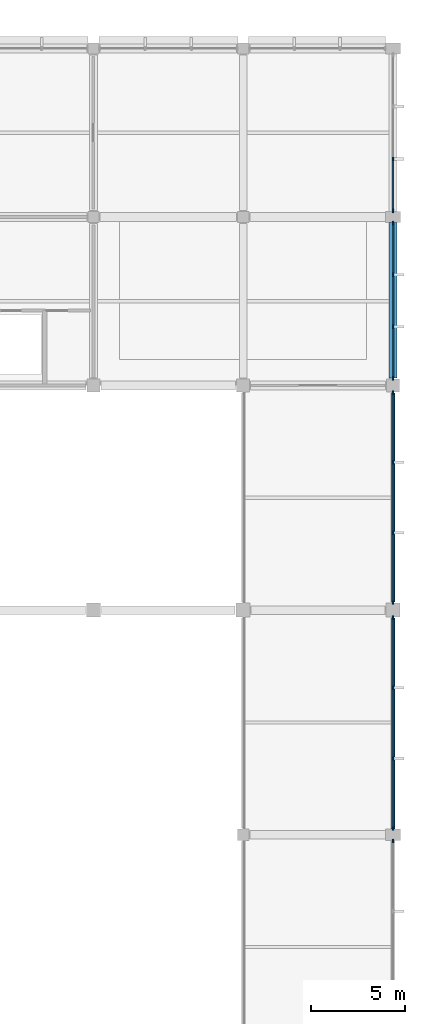
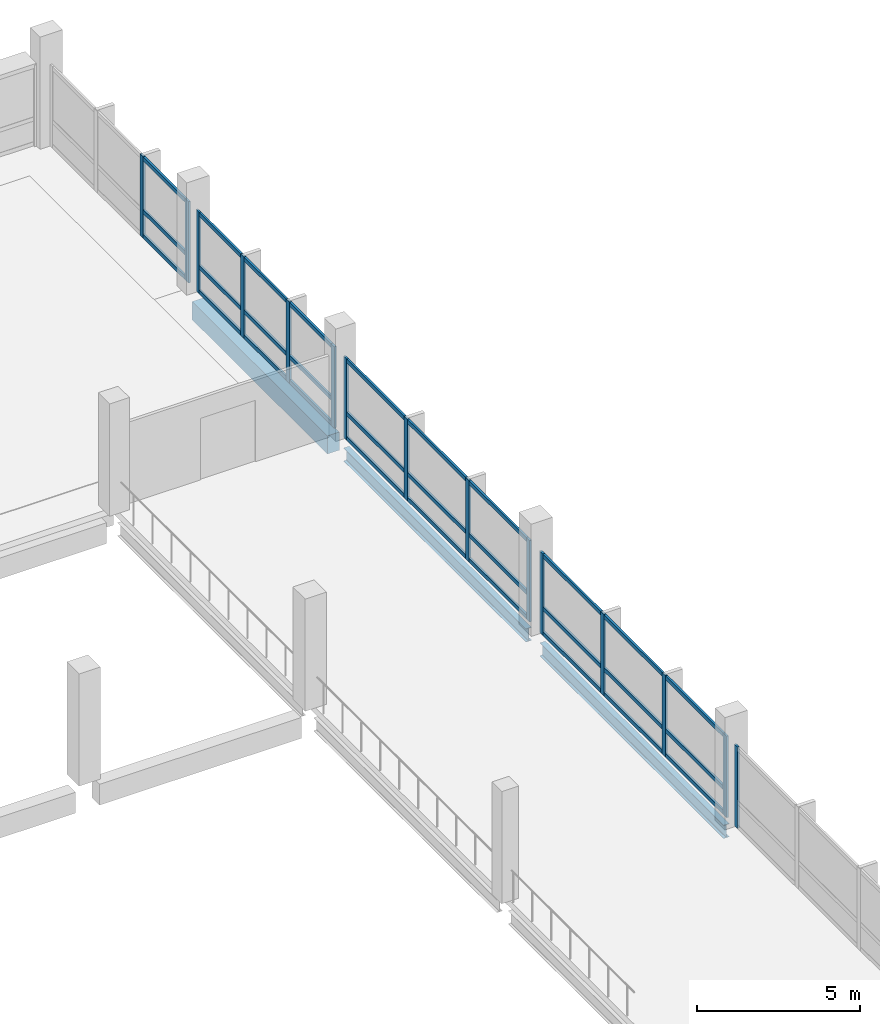
# One storey, part 30 of 57: 45 members, 3 beams, 5 elements without a shape of their own.
"""IFC4 building model written with IfcOpenShell, lengths in metres."""

from ifc_helpers import new_model, si_unit, direction, frame, origin, origin_2d, place, context, subcontext, project, spatial, rectangle, i_section, extrude, material, material_profile, profile_set, type_object, element, aggregate, save


model = new_model("IFC4")

# Units and contexts
model_context = context("Model", 3, precision=1e-05, world=origin(), true_north=direction((0.0, 1.0)))
body_context = subcontext(model_context, "Body", "Model", "MODEL_VIEW")
ifc_project = project(units=[si_unit("LENGTHUNIT", "METRE"), si_unit("AREAUNIT", "SQUARE_METRE"), si_unit("VOLUMEUNIT", "CUBIC_METRE"), si_unit("PLANEANGLEUNIT", "RADIAN"), si_unit("MASSUNIT", "GRAM", prefix="KILO"), si_unit("THERMODYNAMICTEMPERATUREUNIT", "KELVIN"), si_unit("POWERUNIT", "WATT")], contexts=[model_context])

# Site, building, storey
site_placement = place(None, origin())
site = spatial("IfcSite", under=ifc_project, at=site_placement, CompositionType="ELEMENT")
building_placement = place(site_placement, origin())
building = spatial("IfcBuilding", under=site, at=building_placement, Name="Kronsvod Quay Wholesale Market", CompositionType="ELEMENT")
storey_placement = place(building_placement, frame((0.0, 0.0, 4.800048828125)))
storey = spatial("IfcBuildingStorey", under=building, at=storey_placement, Name="L01", CompositionType="ELEMENT", Elevation=4.800048828125)

# Beams
ifc_material_1 = material(Name="Precast concrete C40/50", Category="concrete")
ifc_material_profile_1 = material_profile(ifc_material_1, rectangle(XDim=0.419921875, YDim=0.679931640625, at=origin_2d()), Name="PB-05")
ifc_profile_set_1 = profile_set([ifc_material_profile_1], Name="Precast concrete C40/50")
beam_type_1 = type_object("IfcBeamType", Name="Beam_PCB420x680", PredefinedType="BEAM", material=ifc_profile_set_1)
beam_1_placement = place(storey_placement, frame((192.0, 90.39990234375, -0.64013671875), z_axis=(0.0, 1.0, 0.0), x_axis=(-1.0, 0.0, 0.0)))
element("IfcBeam", 1, at=beam_1_placement, inside=storey, type_object=beam_type_1, Name="BMY-L01-1920-900", PredefinedType="BEAM", context=body_context, shape_type="SweptSolid", body=[
    extrude(rectangle(XDim=0.419921875, YDim=0.679931640625, at=origin_2d()), origin(), (0.0, 0.0, 1.0), 8.300048828125),
])
ifc_material_2 = material(Name="Steel S355", Category="steel")
ifc_material_profile_2 = material_profile(ifc_material_2, i_section(OverallWidth=0.198974609375, OverallDepth=0.49609375, WebThickness=0.009033203125, FlangeThickness=0.013916015625, FilletRadius=0.02001953125, at=origin_2d()), Name="50B1")
ifc_profile_set_2 = profile_set([ifc_material_profile_2], Name="Steel S355")
beam_type_2 = type_object("IfcBeamType", Name="Girder_Steel50B1", PredefinedType="T_BEAM", material=ifc_profile_set_2)
beam_2_placement = place(storey_placement, frame((192.0, 66.300048828125, -0.548095703125), z_axis=(0.0, 1.0, 0.0), x_axis=(-1.0, 0.0, 0.0)))
element("IfcBeam", 2, at=beam_2_placement, inside=storey, type_object=beam_type_2, Name="BMY-L01-1920-660", PredefinedType="T_BEAM", context=body_context, shape_type="SweptSolid", body=[
    extrude(i_section(OverallWidth=0.198974609375, OverallDepth=0.49609375, WebThickness=0.009033203125, FlangeThickness=0.013916015625, FilletRadius=0.02001953125, at=origin_2d()), origin(), (0.0, 0.0, 1.0), 11.27490234375),
])
beam_3_placement = place(storey_placement, frame((192.0, 78.425048828125, -0.548095703125), z_axis=(0.0, 1.0, 0.0), x_axis=(-1.0, 0.0, 0.0)))
element("IfcBeam", 3, at=beam_3_placement, inside=storey, type_object=beam_type_2, Name="BMY-L01-1920-780", PredefinedType="T_BEAM", context=body_context, shape_type="SweptSolid", body=[
    extrude(i_section(OverallWidth=0.198974609375, OverallDepth=0.49609375, WebThickness=0.009033203125, FlangeThickness=0.013916015625, FilletRadius=0.02001953125, at=origin_2d()), origin(), (0.0, 0.0, 1.0), 11.175048828125),
])

# Curtain wall, member
ifc_material_3 = material(Name="Thermally broken aluminium and triple low-E glazing", Category="aluminium")
curtain_wall_type_1 = type_object("IfcCurtainWallType", Name="CW_Flower120x32", PredefinedType="NOTDEFINED", material=ifc_material_3)
curtain_wall_1_placement = place(storey_placement, origin())
curtain_wall_1 = element("IfcCurtainWall", 4, at=curtain_wall_1_placement, inside=storey, type_object=curtain_wall_type_1, Name="CWGY-L01-1920-540", PredefinedType="NOTDEFINED")
ifc_material_4 = material(Name="Anodised aluminium", Category="aluminium")
ifc_material_profile_3 = material_profile(ifc_material_4, rectangle(XDim=0.074951171875, YDim=0.199951171875, at=origin_2d()), Name="ALUM75x200")
ifc_profile_set_3 = profile_set([ifc_material_profile_3], Name="Anodised aluminium")
member_type_1 = type_object("IfcMemberType", Name="Mullion_ALU75x200", PredefinedType="MULLION", material=ifc_profile_set_3)
member_1_placement = place(storey_placement, frame((192.0, 65.66748046875, 0.0), z_axis=(0.0, 0.0, 1.0), x_axis=(1.0, 0.0, 0.0)))
member_1 = element("IfcMember", 5, at=member_1_placement, type_object=member_type_1, Name="CWGY-L01-1920-540-M4", PredefinedType="MULLION", context=body_context, shape_type="SweptSolid", body=[
    extrude(rectangle(XDim=0.074951171875, YDim=0.199951171875, at=origin_2d()), origin(), (0.0, 0.0, 1.0), 3.050048828125),
])
aggregate(curtain_wall_1, [member_1])

# Curtain wall, members
curtain_wall_2_placement = place(storey_placement, origin())
curtain_wall_2 = element("IfcCurtainWall", 6, at=curtain_wall_2_placement, inside=storey, type_object=curtain_wall_type_1, Name="CWGY-L01-1920-660", PredefinedType="NOTDEFINED")
member_2_placement = place(storey_placement, frame((192.0, 66.33251953125, 0.0), z_axis=(0.0, 0.0, 1.0), x_axis=(1.0, 0.0, 0.0)))
member_2 = element("IfcMember", 7, at=member_2_placement, type_object=member_type_1, Name="CWGY-L01-1920-660-M1", PredefinedType="MULLION", context=body_context, shape_type="SweptSolid", body=[
    extrude(rectangle(XDim=0.074951171875, YDim=0.199951171875, at=origin_2d()), origin(), (0.0, 0.0, 1.0), 3.050048828125),
])
member_3_placement = place(storey_placement, frame((192.0, 70.0732421875, 0.0), z_axis=(0.0, 0.0, 1.0), x_axis=(1.0, 0.0, 0.0)))
member_3 = element("IfcMember", 8, at=member_3_placement, type_object=member_type_1, Name="CWGY-L01-1920-660-M2", PredefinedType="MULLION", context=body_context, shape_type="SweptSolid", body=[
    extrude(rectangle(XDim=0.074951171875, YDim=0.199951171875, at=origin_2d()), origin(), (0.0, 0.0, 1.0), 3.050048828125),
])
member_4_placement = place(storey_placement, frame((192.0, 73.8515625, 0.0), z_axis=(0.0, 0.0, 1.0), x_axis=(1.0, 0.0, 0.0)))
member_4 = element("IfcMember", 9, at=member_4_placement, type_object=member_type_1, Name="CWGY-L01-1920-660-M3", PredefinedType="MULLION", context=body_context, shape_type="SweptSolid", body=[
    extrude(rectangle(XDim=0.074951171875, YDim=0.199951171875, at=origin_2d()), origin(), (0.0, 0.0, 1.0), 3.050048828125),
])
member_5_placement = place(storey_placement, frame((192.0, 77.592529296875, 0.0), z_axis=(0.0, 0.0, 1.0), x_axis=(1.0, 0.0, 0.0)))
member_5 = element("IfcMember", 10, at=member_5_placement, type_object=member_type_1, Name="CWGY-L01-1920-660-M4", PredefinedType="MULLION", context=body_context, shape_type="SweptSolid", body=[
    extrude(rectangle(XDim=0.074951171875, YDim=0.199951171875, at=origin_2d()), origin(), (0.0, 0.0, 1.0), 3.050048828125),
])

curtain_wall_3_placement = place(storey_placement, origin())
curtain_wall_3 = element("IfcCurtainWall", 11, at=curtain_wall_3_placement, inside=storey, type_object=curtain_wall_type_1, Name="CWGY-L01-1920-780", PredefinedType="NOTDEFINED")
member_6_placement = place(storey_placement, frame((192.0, 78.407470703125, 0.0), z_axis=(0.0, 0.0, 1.0), x_axis=(1.0, 0.0, 0.0)))
member_6 = element("IfcMember", 12, at=member_6_placement, type_object=member_type_1, Name="CWGY-L01-1920-780-M1", PredefinedType="MULLION", context=body_context, shape_type="SweptSolid", body=[
    extrude(rectangle(XDim=0.074951171875, YDim=0.199951171875, at=origin_2d()), origin(), (0.0, 0.0, 1.0), 3.050048828125),
])
member_7_placement = place(storey_placement, frame((192.0, 82.131591796875, 0.0), z_axis=(0.0, 0.0, 1.0), x_axis=(1.0, 0.0, 0.0)))
member_7 = element("IfcMember", 13, at=member_7_placement, type_object=member_type_1, Name="CWGY-L01-1920-780-M2", PredefinedType="MULLION", context=body_context, shape_type="SweptSolid", body=[
    extrude(rectangle(XDim=0.074951171875, YDim=0.199951171875, at=origin_2d()), origin(), (0.0, 0.0, 1.0), 3.050048828125),
])
member_8_placement = place(storey_placement, frame((192.0, 85.893310546875, 0.0), z_axis=(0.0, 0.0, 1.0), x_axis=(1.0, 0.0, 0.0)))
member_8 = element("IfcMember", 14, at=member_8_placement, type_object=member_type_1, Name="CWGY-L01-1920-780-M3", PredefinedType="MULLION", context=body_context, shape_type="SweptSolid", body=[
    extrude(rectangle(XDim=0.074951171875, YDim=0.199951171875, at=origin_2d()), origin(), (0.0, 0.0, 1.0), 3.050048828125),
])
member_9_placement = place(storey_placement, frame((192.0, 89.617431640625, 0.0), z_axis=(0.0, 0.0, 1.0), x_axis=(1.0, 0.0, 0.0)))
member_9 = element("IfcMember", 15, at=member_9_placement, type_object=member_type_1, Name="CWGY-L01-1920-780-M4", PredefinedType="MULLION", context=body_context, shape_type="SweptSolid", body=[
    extrude(rectangle(XDim=0.074951171875, YDim=0.199951171875, at=origin_2d()), origin(), (0.0, 0.0, 1.0), 3.050048828125),
])

ifc_material_5 = material(Name="Thermally broken aluminium and triple low-E glazing", Category="aluminium")
curtain_wall_type_2 = type_object("IfcCurtainWallType", Name="CW_Wing90x33", PredefinedType="NOTDEFINED", material=ifc_material_5)
curtain_wall_4_placement = place(storey_placement, origin())
curtain_wall_4 = element("IfcCurtainWall", 16, at=curtain_wall_4_placement, inside=storey, type_object=curtain_wall_type_2, Name="CWGY-L01-1920-900", PredefinedType="NOTDEFINED")
member_10_placement = place(storey_placement, frame((192.0, 90.382568359375, 0.0), z_axis=(0.0, 0.0, 1.0), x_axis=(1.0, 0.0, 0.0)))
member_10 = element("IfcMember", 17, at=member_10_placement, type_object=member_type_1, Name="CWGY-L01-1920-900-M1", PredefinedType="MULLION", context=body_context, shape_type="SweptSolid", body=[
    extrude(rectangle(XDim=0.074951171875, YDim=0.199951171875, at=origin_2d()), origin(), (0.0, 0.0, 1.0), 3.050048828125),
])
member_11_placement = place(storey_placement, frame((192.0, 93.131591796875, 0.0), z_axis=(0.0, 0.0, 1.0), x_axis=(1.0, 0.0, 0.0)))
member_11 = element("IfcMember", 18, at=member_11_placement, type_object=member_type_1, Name="CWGY-L01-1920-900-M2", PredefinedType="MULLION", context=body_context, shape_type="SweptSolid", body=[
    extrude(rectangle(XDim=0.074951171875, YDim=0.199951171875, at=origin_2d()), origin(), (0.0, 0.0, 1.0), 3.050048828125),
])
member_12_placement = place(storey_placement, frame((192.0, 95.918212890625, 0.0), z_axis=(0.0, 0.0, 1.0), x_axis=(1.0, 0.0, 0.0)))
member_12 = element("IfcMember", 19, at=member_12_placement, type_object=member_type_1, Name="CWGY-L01-1920-900-M3", PredefinedType="MULLION", context=body_context, shape_type="SweptSolid", body=[
    extrude(rectangle(XDim=0.074951171875, YDim=0.199951171875, at=origin_2d()), origin(), (0.0, 0.0, 1.0), 3.050048828125),
])
member_13_placement = place(storey_placement, frame((192.0, 98.66748046875, 0.0), z_axis=(0.0, 0.0, 1.0), x_axis=(1.0, 0.0, 0.0)))
member_13 = element("IfcMember", 20, at=member_13_placement, type_object=member_type_1, Name="CWGY-L01-1920-900-M4", PredefinedType="MULLION", context=body_context, shape_type="SweptSolid", body=[
    extrude(rectangle(XDim=0.074951171875, YDim=0.199951171875, at=origin_2d()), origin(), (0.0, 0.0, 1.0), 3.050048828125),
])

curtain_wall_5_placement = place(storey_placement, origin())
curtain_wall_5 = element("IfcCurtainWall", 21, at=curtain_wall_5_placement, inside=storey, type_object=curtain_wall_type_2, Name="CWGY-L01-1920-990", PredefinedType="NOTDEFINED")
member_14_placement = place(storey_placement, frame((192.0, 99.33251953125, 0.0), z_axis=(0.0, 0.0, 1.0), x_axis=(1.0, 0.0, 0.0)))
member_14 = element("IfcMember", 22, at=member_14_placement, type_object=member_type_1, Name="CWGY-L01-1920-990-M1", PredefinedType="MULLION", context=body_context, shape_type="SweptSolid", body=[
    extrude(rectangle(XDim=0.074951171875, YDim=0.199951171875, at=origin_2d()), origin(), (0.0, 0.0, 1.0), 3.050048828125),
])
member_15_placement = place(storey_placement, frame((192.0, 102.098388671875, 0.0), z_axis=(0.0, 0.0, 1.0), x_axis=(1.0, 0.0, 0.0)))
member_15 = element("IfcMember", 23, at=member_15_placement, type_object=member_type_1, Name="CWGY-L01-1920-990-M2", PredefinedType="MULLION", context=body_context, shape_type="SweptSolid", body=[
    extrude(rectangle(XDim=0.074951171875, YDim=0.199951171875, at=origin_2d()), origin(), (0.0, 0.0, 1.0), 3.050048828125),
])

# Member
ifc_material_6 = material(Name="Anodised aluminium", Category="aluminium")
ifc_material_profile_4 = material_profile(ifc_material_6, rectangle(XDim=0.074951171875, YDim=0.14990234375, at=origin_2d()), Name="ALUT75x150")
ifc_profile_set_4 = profile_set([ifc_material_profile_4], Name="Anodised aluminium")
member_type_2 = type_object("IfcMemberType", Name="Transom_ALU75x150", PredefinedType="USERDEFINED", material=ifc_profile_set_4)
member_16_placement = place(storey_placement, frame((192.0, 66.3701171875, 0.074951171875), z_axis=(0.0, 1.0, 0.0), x_axis=(-1.0, 0.0, 0.0)))
member_16 = element("IfcMember", 24, at=member_16_placement, type_object=member_type_2, Name="CWGY-L01-1920-660-T1B1", ObjectType="TRANSOM", PredefinedType="USERDEFINED", context=body_context, shape_type="SweptSolid", body=[
    extrude(rectangle(XDim=0.074951171875, YDim=0.14990234375, at=origin_2d()), origin(), (0.0, 0.0, 1.0), 3.665771484375),
])

member_17_placement = place(storey_placement, frame((192.0, 70.11083984375, 0.074951171875), z_axis=(0.0, 1.0, 0.0), x_axis=(-1.0, 0.0, 0.0)))
member_17 = element("IfcMember", 25, at=member_17_placement, type_object=member_type_2, Name="CWGY-L01-1920-660-T1B2", ObjectType="TRANSOM", PredefinedType="USERDEFINED", context=body_context, shape_type="SweptSolid", body=[
    extrude(rectangle(XDim=0.074951171875, YDim=0.14990234375, at=origin_2d()), origin(), (0.0, 0.0, 1.0), 3.703369140625),
])

member_18_placement = place(storey_placement, frame((192.0, 73.88916015625, 0.074951171875), z_axis=(0.0, 1.0, 0.0), x_axis=(-1.0, 0.0, 0.0)))
member_18 = element("IfcMember", 26, at=member_18_placement, type_object=member_type_2, Name="CWGY-L01-1920-660-T1B3", ObjectType="TRANSOM", PredefinedType="USERDEFINED", context=body_context, shape_type="SweptSolid", body=[
    extrude(rectangle(XDim=0.074951171875, YDim=0.14990234375, at=origin_2d()), origin(), (0.0, 0.0, 1.0), 3.665771484375),
])

member_19_placement = place(storey_placement, frame((192.0, 66.3701171875, 1.0), z_axis=(0.0, 1.0, 0.0), x_axis=(-1.0, 0.0, 0.0)))
member_19 = element("IfcMember", 27, at=member_19_placement, type_object=member_type_2, Name="CWGY-L01-1920-660-T2B1", ObjectType="TRANSOM", PredefinedType="USERDEFINED", context=body_context, shape_type="SweptSolid", body=[
    extrude(rectangle(XDim=0.074951171875, YDim=0.14990234375, at=origin_2d()), origin(), (0.0, 0.0, 1.0), 3.665771484375),
])

member_20_placement = place(storey_placement, frame((192.0, 70.11083984375, 1.0), z_axis=(0.0, 1.0, 0.0), x_axis=(-1.0, 0.0, 0.0)))
member_20 = element("IfcMember", 28, at=member_20_placement, type_object=member_type_2, Name="CWGY-L01-1920-660-T2B2", ObjectType="TRANSOM", PredefinedType="USERDEFINED", context=body_context, shape_type="SweptSolid", body=[
    extrude(rectangle(XDim=0.074951171875, YDim=0.14990234375, at=origin_2d()), origin(), (0.0, 0.0, 1.0), 3.703369140625),
])

member_21_placement = place(storey_placement, frame((192.0, 73.88916015625, 1.0), z_axis=(0.0, 1.0, 0.0), x_axis=(-1.0, 0.0, 0.0)))
member_21 = element("IfcMember", 29, at=member_21_placement, type_object=member_type_2, Name="CWGY-L01-1920-660-T2B3", ObjectType="TRANSOM", PredefinedType="USERDEFINED", context=body_context, shape_type="SweptSolid", body=[
    extrude(rectangle(XDim=0.074951171875, YDim=0.14990234375, at=origin_2d()), origin(), (0.0, 0.0, 1.0), 3.665771484375),
])

member_22_placement = place(storey_placement, frame((192.0, 66.3701171875, 2.974853515625), z_axis=(0.0, 1.0, 0.0), x_axis=(-1.0, 0.0, 0.0)))
member_22 = element("IfcMember", 30, at=member_22_placement, type_object=member_type_2, Name="CWGY-L01-1920-660-T3B1", ObjectType="TRANSOM", PredefinedType="USERDEFINED", context=body_context, shape_type="SweptSolid", body=[
    extrude(rectangle(XDim=0.074951171875, YDim=0.14990234375, at=origin_2d()), origin(), (0.0, 0.0, 1.0), 3.665771484375),
])

member_23_placement = place(storey_placement, frame((192.0, 70.11083984375, 2.974853515625), z_axis=(0.0, 1.0, 0.0), x_axis=(-1.0, 0.0, 0.0)))
member_23 = element("IfcMember", 31, at=member_23_placement, type_object=member_type_2, Name="CWGY-L01-1920-660-T3B2", ObjectType="TRANSOM", PredefinedType="USERDEFINED", context=body_context, shape_type="SweptSolid", body=[
    extrude(rectangle(XDim=0.074951171875, YDim=0.14990234375, at=origin_2d()), origin(), (0.0, 0.0, 1.0), 3.703369140625),
])

member_24_placement = place(storey_placement, frame((192.0, 73.88916015625, 2.974853515625), z_axis=(0.0, 1.0, 0.0), x_axis=(-1.0, 0.0, 0.0)))
member_24 = element("IfcMember", 32, at=member_24_placement, type_object=member_type_2, Name="CWGY-L01-1920-660-T3B3", ObjectType="TRANSOM", PredefinedType="USERDEFINED", context=body_context, shape_type="SweptSolid", body=[
    extrude(rectangle(XDim=0.074951171875, YDim=0.14990234375, at=origin_2d()), origin(), (0.0, 0.0, 1.0), 3.665771484375),
])

aggregate(curtain_wall_2, [member_2, member_3, member_4, member_5, member_16, member_17, member_18, member_19, member_20, member_21, member_22, member_23, member_24])

member_25_placement = place(storey_placement, frame((192.0, 78.445068359375, 0.074951171875), z_axis=(0.0, 1.0, 0.0), x_axis=(-1.0, 0.0, 0.0)))
member_25 = element("IfcMember", 33, at=member_25_placement, type_object=member_type_2, Name="CWGY-L01-1920-780-T1B1", ObjectType="TRANSOM", PredefinedType="USERDEFINED", context=body_context, shape_type="SweptSolid", body=[
    extrude(rectangle(XDim=0.074951171875, YDim=0.14990234375, at=origin_2d()), origin(), (0.0, 0.0, 1.0), 3.649169921875),
])

member_26_placement = place(storey_placement, frame((192.0, 82.169189453125, 0.074951171875), z_axis=(0.0, 1.0, 0.0), x_axis=(-1.0, 0.0, 0.0)))
member_26 = element("IfcMember", 34, at=member_26_placement, type_object=member_type_2, Name="CWGY-L01-1920-780-T1B2", ObjectType="TRANSOM", PredefinedType="USERDEFINED", context=body_context, shape_type="SweptSolid", body=[
    extrude(rectangle(XDim=0.074951171875, YDim=0.14990234375, at=origin_2d()), origin(), (0.0, 0.0, 1.0), 3.6865234375),
])

member_27_placement = place(storey_placement, frame((192.0, 85.930908203125, 0.074951171875), z_axis=(0.0, 1.0, 0.0), x_axis=(-1.0, 0.0, 0.0)))
member_27 = element("IfcMember", 35, at=member_27_placement, type_object=member_type_2, Name="CWGY-L01-1920-780-T1B3", ObjectType="TRANSOM", PredefinedType="USERDEFINED", context=body_context, shape_type="SweptSolid", body=[
    extrude(rectangle(XDim=0.074951171875, YDim=0.14990234375, at=origin_2d()), origin(), (0.0, 0.0, 1.0), 3.649169921875),
])

member_28_placement = place(storey_placement, frame((192.0, 78.445068359375, 1.0), z_axis=(0.0, 1.0, 0.0), x_axis=(-1.0, 0.0, 0.0)))
member_28 = element("IfcMember", 36, at=member_28_placement, type_object=member_type_2, Name="CWGY-L01-1920-780-T2B1", ObjectType="TRANSOM", PredefinedType="USERDEFINED", context=body_context, shape_type="SweptSolid", body=[
    extrude(rectangle(XDim=0.074951171875, YDim=0.14990234375, at=origin_2d()), origin(), (0.0, 0.0, 1.0), 3.649169921875),
])

member_29_placement = place(storey_placement, frame((192.0, 82.169189453125, 1.0), z_axis=(0.0, 1.0, 0.0), x_axis=(-1.0, 0.0, 0.0)))
member_29 = element("IfcMember", 37, at=member_29_placement, type_object=member_type_2, Name="CWGY-L01-1920-780-T2B2", ObjectType="TRANSOM", PredefinedType="USERDEFINED", context=body_context, shape_type="SweptSolid", body=[
    extrude(rectangle(XDim=0.074951171875, YDim=0.14990234375, at=origin_2d()), origin(), (0.0, 0.0, 1.0), 3.6865234375),
])

member_30_placement = place(storey_placement, frame((192.0, 85.930908203125, 1.0), z_axis=(0.0, 1.0, 0.0), x_axis=(-1.0, 0.0, 0.0)))
member_30 = element("IfcMember", 38, at=member_30_placement, type_object=member_type_2, Name="CWGY-L01-1920-780-T2B3", ObjectType="TRANSOM", PredefinedType="USERDEFINED", context=body_context, shape_type="SweptSolid", body=[
    extrude(rectangle(XDim=0.074951171875, YDim=0.14990234375, at=origin_2d()), origin(), (0.0, 0.0, 1.0), 3.649169921875),
])

member_31_placement = place(storey_placement, frame((192.0, 78.445068359375, 2.974853515625), z_axis=(0.0, 1.0, 0.0), x_axis=(-1.0, 0.0, 0.0)))
member_31 = element("IfcMember", 39, at=member_31_placement, type_object=member_type_2, Name="CWGY-L01-1920-780-T3B1", ObjectType="TRANSOM", PredefinedType="USERDEFINED", context=body_context, shape_type="SweptSolid", body=[
    extrude(rectangle(XDim=0.074951171875, YDim=0.14990234375, at=origin_2d()), origin(), (0.0, 0.0, 1.0), 3.649169921875),
])

member_32_placement = place(storey_placement, frame((192.0, 82.169189453125, 2.974853515625), z_axis=(0.0, 1.0, 0.0), x_axis=(-1.0, 0.0, 0.0)))
member_32 = element("IfcMember", 40, at=member_32_placement, type_object=member_type_2, Name="CWGY-L01-1920-780-T3B2", ObjectType="TRANSOM", PredefinedType="USERDEFINED", context=body_context, shape_type="SweptSolid", body=[
    extrude(rectangle(XDim=0.074951171875, YDim=0.14990234375, at=origin_2d()), origin(), (0.0, 0.0, 1.0), 3.6865234375),
])

member_33_placement = place(storey_placement, frame((192.0, 85.930908203125, 2.974853515625), z_axis=(0.0, 1.0, 0.0), x_axis=(-1.0, 0.0, 0.0)))
member_33 = element("IfcMember", 41, at=member_33_placement, type_object=member_type_2, Name="CWGY-L01-1920-780-T3B3", ObjectType="TRANSOM", PredefinedType="USERDEFINED", context=body_context, shape_type="SweptSolid", body=[
    extrude(rectangle(XDim=0.074951171875, YDim=0.14990234375, at=origin_2d()), origin(), (0.0, 0.0, 1.0), 3.649169921875),
])

aggregate(curtain_wall_3, [member_6, member_7, member_8, member_9, member_25, member_26, member_27, member_28, member_29, member_30, member_31, member_32, member_33])

member_34_placement = place(storey_placement, frame((192.0, 90.419921875, 0.074951171875), z_axis=(0.0, 1.0, 0.0), x_axis=(-1.0, 0.0, 0.0)))
member_34 = element("IfcMember", 42, at=member_34_placement, type_object=member_type_2, Name="CWGY-L01-1920-900-T1B1", ObjectType="TRANSOM", PredefinedType="USERDEFINED", context=body_context, shape_type="SweptSolid", body=[
    extrude(rectangle(XDim=0.074951171875, YDim=0.14990234375, at=origin_2d()), origin(), (0.0, 0.0, 1.0), 2.67431640625),
])

member_35_placement = place(storey_placement, frame((192.0, 93.169189453125, 0.074951171875), z_axis=(0.0, 1.0, 0.0), x_axis=(-1.0, 0.0, 0.0)))
member_35 = element("IfcMember", 43, at=member_35_placement, type_object=member_type_2, Name="CWGY-L01-1920-900-T1B2", ObjectType="TRANSOM", PredefinedType="USERDEFINED", context=body_context, shape_type="SweptSolid", body=[
    extrude(rectangle(XDim=0.074951171875, YDim=0.14990234375, at=origin_2d()), origin(), (0.0, 0.0, 1.0), 2.711669921875),
])

member_36_placement = place(storey_placement, frame((192.0, 95.955810546875, 0.074951171875), z_axis=(0.0, 1.0, 0.0), x_axis=(-1.0, 0.0, 0.0)))
member_36 = element("IfcMember", 44, at=member_36_placement, type_object=member_type_2, Name="CWGY-L01-1920-900-T1B3", ObjectType="TRANSOM", PredefinedType="USERDEFINED", context=body_context, shape_type="SweptSolid", body=[
    extrude(rectangle(XDim=0.074951171875, YDim=0.14990234375, at=origin_2d()), origin(), (0.0, 0.0, 1.0), 2.674072265625),
])

member_37_placement = place(storey_placement, frame((192.0, 90.419921875, 1.0), z_axis=(0.0, 1.0, 0.0), x_axis=(-1.0, 0.0, 0.0)))
member_37 = element("IfcMember", 45, at=member_37_placement, type_object=member_type_2, Name="CWGY-L01-1920-900-T2B1", ObjectType="TRANSOM", PredefinedType="USERDEFINED", context=body_context, shape_type="SweptSolid", body=[
    extrude(rectangle(XDim=0.074951171875, YDim=0.14990234375, at=origin_2d()), origin(), (0.0, 0.0, 1.0), 2.67431640625),
])

member_38_placement = place(storey_placement, frame((192.0, 93.169189453125, 1.0), z_axis=(0.0, 1.0, 0.0), x_axis=(-1.0, 0.0, 0.0)))
member_38 = element("IfcMember", 46, at=member_38_placement, type_object=member_type_2, Name="CWGY-L01-1920-900-T2B2", ObjectType="TRANSOM", PredefinedType="USERDEFINED", context=body_context, shape_type="SweptSolid", body=[
    extrude(rectangle(XDim=0.074951171875, YDim=0.14990234375, at=origin_2d()), origin(), (0.0, 0.0, 1.0), 2.711669921875),
])

member_39_placement = place(storey_placement, frame((192.0, 95.955810546875, 1.0), z_axis=(0.0, 1.0, 0.0), x_axis=(-1.0, 0.0, 0.0)))
member_39 = element("IfcMember", 47, at=member_39_placement, type_object=member_type_2, Name="CWGY-L01-1920-900-T2B3", ObjectType="TRANSOM", PredefinedType="USERDEFINED", context=body_context, shape_type="SweptSolid", body=[
    extrude(rectangle(XDim=0.074951171875, YDim=0.14990234375, at=origin_2d()), origin(), (0.0, 0.0, 1.0), 2.674072265625),
])

member_40_placement = place(storey_placement, frame((192.0, 90.419921875, 2.974853515625), z_axis=(0.0, 1.0, 0.0), x_axis=(-1.0, 0.0, 0.0)))
member_40 = element("IfcMember", 48, at=member_40_placement, type_object=member_type_2, Name="CWGY-L01-1920-900-T3B1", ObjectType="TRANSOM", PredefinedType="USERDEFINED", context=body_context, shape_type="SweptSolid", body=[
    extrude(rectangle(XDim=0.074951171875, YDim=0.14990234375, at=origin_2d()), origin(), (0.0, 0.0, 1.0), 2.67431640625),
])

member_41_placement = place(storey_placement, frame((192.0, 93.169189453125, 2.974853515625), z_axis=(0.0, 1.0, 0.0), x_axis=(-1.0, 0.0, 0.0)))
member_41 = element("IfcMember", 49, at=member_41_placement, type_object=member_type_2, Name="CWGY-L01-1920-900-T3B2", ObjectType="TRANSOM", PredefinedType="USERDEFINED", context=body_context, shape_type="SweptSolid", body=[
    extrude(rectangle(XDim=0.074951171875, YDim=0.14990234375, at=origin_2d()), origin(), (0.0, 0.0, 1.0), 2.711669921875),
])

member_42_placement = place(storey_placement, frame((192.0, 95.955810546875, 2.974853515625), z_axis=(0.0, 1.0, 0.0), x_axis=(-1.0, 0.0, 0.0)))
member_42 = element("IfcMember", 50, at=member_42_placement, type_object=member_type_2, Name="CWGY-L01-1920-900-T3B3", ObjectType="TRANSOM", PredefinedType="USERDEFINED", context=body_context, shape_type="SweptSolid", body=[
    extrude(rectangle(XDim=0.074951171875, YDim=0.14990234375, at=origin_2d()), origin(), (0.0, 0.0, 1.0), 2.674072265625),
])

aggregate(curtain_wall_4, [member_10, member_11, member_12, member_13, member_34, member_35, member_36, member_37, member_38, member_39, member_40, member_41, member_42])

member_43_placement = place(storey_placement, frame((192.0, 99.3701171875, 0.074951171875), z_axis=(0.0, 1.0, 0.0), x_axis=(-1.0, 0.0, 0.0)))
member_43 = element("IfcMember", 51, at=member_43_placement, type_object=member_type_2, Name="CWGY-L01-1920-990-T1B1", ObjectType="TRANSOM", PredefinedType="USERDEFINED", context=body_context, shape_type="SweptSolid", body=[
    extrude(rectangle(XDim=0.074951171875, YDim=0.14990234375, at=origin_2d()), origin(), (0.0, 0.0, 1.0), 2.690673828125),
])

member_44_placement = place(storey_placement, frame((192.0, 99.3701171875, 1.0), z_axis=(0.0, 1.0, 0.0), x_axis=(-1.0, 0.0, 0.0)))
member_44 = element("IfcMember", 52, at=member_44_placement, type_object=member_type_2, Name="CWGY-L01-1920-990-T2B1", ObjectType="TRANSOM", PredefinedType="USERDEFINED", context=body_context, shape_type="SweptSolid", body=[
    extrude(rectangle(XDim=0.074951171875, YDim=0.14990234375, at=origin_2d()), origin(), (0.0, 0.0, 1.0), 2.690673828125),
])

member_45_placement = place(storey_placement, frame((192.0, 99.3701171875, 2.974853515625), z_axis=(0.0, 1.0, 0.0), x_axis=(-1.0, 0.0, 0.0)))
member_45 = element("IfcMember", 53, at=member_45_placement, type_object=member_type_2, Name="CWGY-L01-1920-990-T3B1", ObjectType="TRANSOM", PredefinedType="USERDEFINED", context=body_context, shape_type="SweptSolid", body=[
    extrude(rectangle(XDim=0.074951171875, YDim=0.14990234375, at=origin_2d()), origin(), (0.0, 0.0, 1.0), 2.690673828125),
])

aggregate(curtain_wall_5, [member_14, member_15, member_43, member_44, member_45])

save(model, "model.ifc")
